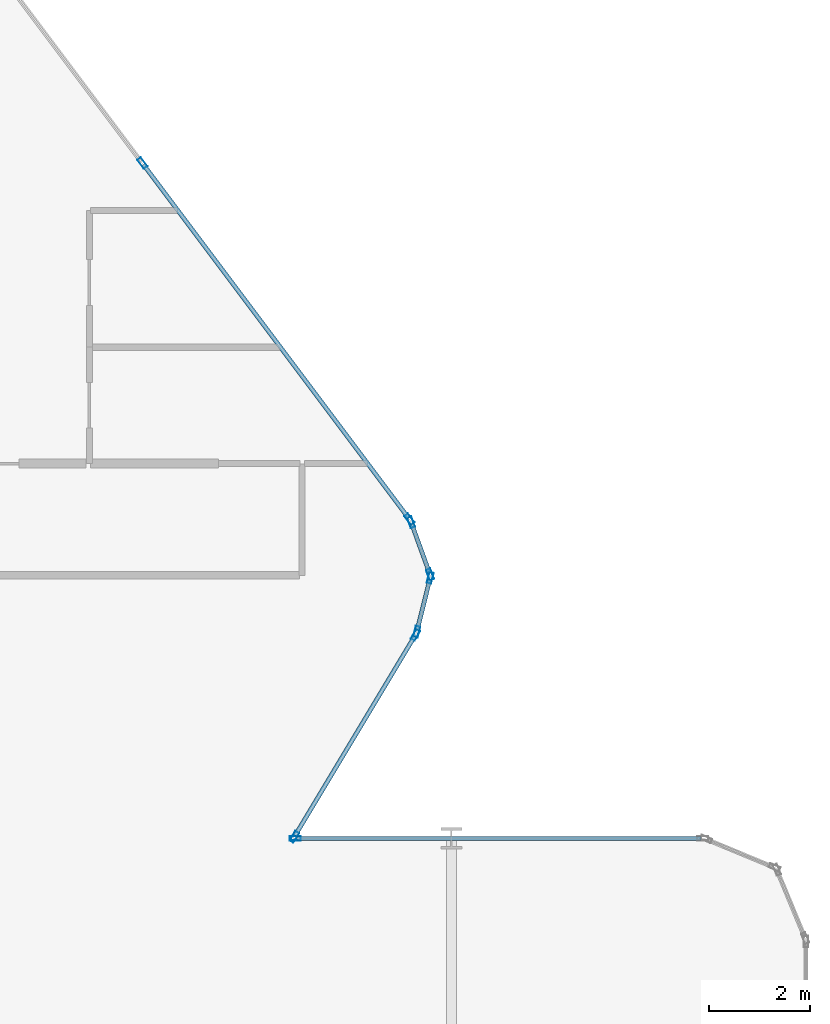
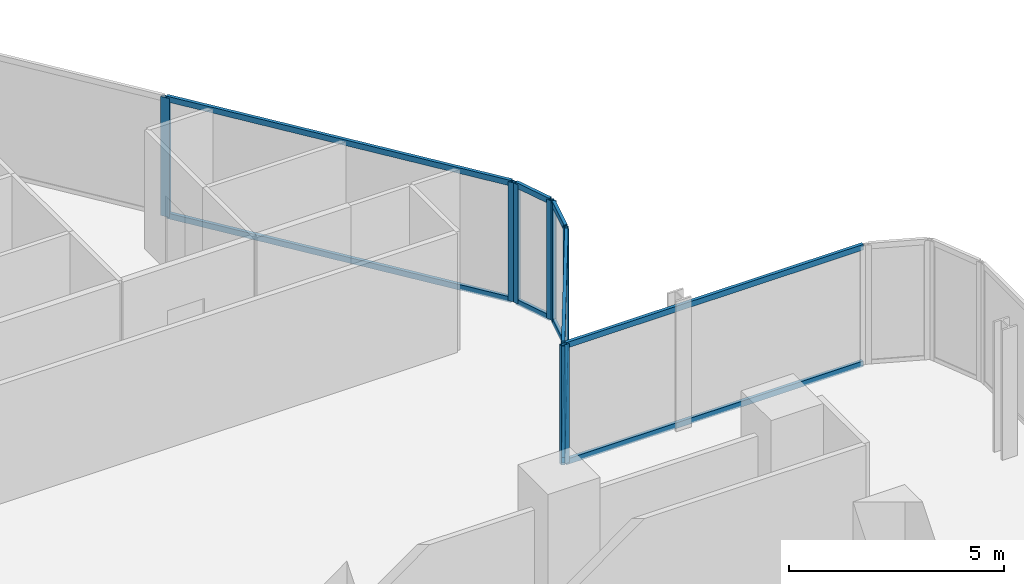
# One storey, part 15 of 33: 19 members, 5 elements without a shape of their own.
"""IFC4 building model written with IfcOpenShell, lengths in metres."""

from ifc_helpers import new_model, si_unit, direction, frame, origin, origin_2d, place, context, subcontext, project, spatial, hollow_rectangle, extrude, material, layer, layer_set, material_profile, profile_set, type_object, element, aggregate, save


model = new_model("IFC4")

# Units and contexts
model_context = context("Model", 3, precision=1e-05, world=origin(), true_north=direction((0.0, 1.0)))
body_context = subcontext(model_context, "Body", "Model", "MODEL_VIEW")
ifc_project = project(units=[si_unit("LENGTHUNIT", "METRE"), si_unit("AREAUNIT", "SQUARE_METRE"), si_unit("VOLUMEUNIT", "CUBIC_METRE"), si_unit("PLANEANGLEUNIT", "RADIAN"), si_unit("MASSUNIT", "GRAM", prefix="KILO")], contexts=[model_context])

# Site, building, storey
site_placement = place(None, origin())
site = spatial("IfcSite", under=ifc_project, at=site_placement, CompositionType="ELEMENT")
building_placement = place(site_placement, origin())
building = spatial("IfcBuilding", under=site, at=building_placement, Name="Keshet Zoharim Tower", CompositionType="ELEMENT")
storey_placement = place(building_placement, frame((0.0, 0.0, 49.89990234375)))
storey = spatial("IfcBuildingStorey", under=building, at=storey_placement, Name="L11", CompositionType="ELEMENT", Elevation=49.89990234375)

# Curtain wall, members
ifc_material = material(Name="Aluminium 6063-T6", Category="aluminium")
ifc_layer_1 = layer(ifc_material, 0.169921875)
ifc_layer_set_1 = layer_set([ifc_layer_1], Name="Aluminium 6063-T6")
curtain_wall_type_1 = type_object("IfcCurtainWallType", Name="CW-SYS-02", PredefinedType="NOTDEFINED", material=ifc_layer_set_1)
curtain_wall_1_placement = place(storey_placement, origin())
curtain_wall_1 = element("IfcCurtainWall", 1, at=curtain_wall_1_placement, inside=storey, type_object=curtain_wall_type_1, Name="L11 Unitised Curtain Wall 09", PredefinedType="NOTDEFINED")
ifc_material_profile_1 = material_profile(ifc_material, hollow_rectangle(XDim=0.090087890625, YDim=0.219970703125, WallThickness=0.0048828125, at=origin_2d()), Name="MUL-90x220")
ifc_profile_set_1 = profile_set([ifc_material_profile_1], Name="Aluminium 6063-T6")
member_type_1 = type_object("IfcMemberType", Name="CWM-M22", PredefinedType="MULLION", material=ifc_profile_set_1)
member_1_placement = place(storey_placement, frame((56.896484375, 46.0380859375, 0.0), z_axis=(0.0, 0.0, 1.0), x_axis=(0.799999999998, 0.600000000002, 0.0)))
member_1 = element("IfcMember", 2, at=member_1_placement, type_object=member_type_1, Name="CW-02 mullion 2", PredefinedType="MULLION", context=body_context, shape_type="SweptSolid", body=[
    extrude(hollow_rectangle(XDim=0.090087890625, YDim=0.219970703125, WallThickness=0.0048828125, at=origin_2d()), origin(), (0.0, 0.0, 1.0), 3.385009765625),
])
member_2_placement = place(storey_placement, frame((62.172119140625, 39.00390625, 0.0), z_axis=(0.0, 0.0, 1.0), x_axis=(0.799999999998, 0.600000000002, 0.0)))
member_2 = element("IfcMember", 3, at=member_2_placement, type_object=member_type_1, Name="CW-02 mullion 3", PredefinedType="MULLION", context=body_context, shape_type="SweptSolid", body=[
    extrude(hollow_rectangle(XDim=0.090087890625, YDim=0.219970703125, WallThickness=0.0048828125, at=origin_2d()), origin(), (0.0, 0.0, 1.0), 3.385009765625),
])

curtain_wall_2_placement = place(storey_placement, origin())
curtain_wall_2 = element("IfcCurtainWall", 4, at=curtain_wall_2_placement, inside=storey, type_object=curtain_wall_type_1, Name="L11 Unitised Curtain Wall 10", PredefinedType="NOTDEFINED")
member_3_placement = place(storey_placement, frame((62.204833984375, 38.943115234375, 0.0), z_axis=(0.0, 0.0, 1.0), x_axis=(0.940317877544, 0.340297354046, 0.0)))
member_3 = element("IfcMember", 5, at=member_3_placement, type_object=member_type_1, Name="CW-02 mullion 1", PredefinedType="MULLION", context=body_context, shape_type="SweptSolid", body=[
    extrude(hollow_rectangle(XDim=0.090087890625, YDim=0.219970703125, WallThickness=0.0048828125, at=origin_2d()), origin(), (0.0, 0.0, 1.0), 3.385009765625),
])
member_4_placement = place(storey_placement, frame((62.578125, 37.911865234375, 0.0), z_axis=(0.0, 0.0, 1.0), x_axis=(0.940317877544, 0.340297354046, 0.0)))
member_4 = element("IfcMember", 6, at=member_4_placement, type_object=member_type_1, Name="CW-02 mullion 2", PredefinedType="MULLION", context=body_context, shape_type="SweptSolid", body=[
    extrude(hollow_rectangle(XDim=0.090087890625, YDim=0.219970703125, WallThickness=0.0048828125, at=origin_2d()), origin(), (0.0, 0.0, 1.0), 3.385009765625),
])

curtain_wall_3_placement = place(storey_placement, origin())
curtain_wall_3 = element("IfcCurtainWall", 7, at=curtain_wall_3_placement, inside=storey, type_object=curtain_wall_type_1, Name="L11 Unitised Curtain Wall 11", PredefinedType="NOTDEFINED")
member_5_placement = place(storey_placement, frame((62.58154296875, 37.844970703125, 0.0), z_axis=(0.0, 0.0, 1.0), x_axis=(0.970343857447, -0.241728770141, 0.0)))
member_5 = element("IfcMember", 8, at=member_5_placement, type_object=member_type_1, Name="CW-02 mullion 1", PredefinedType="MULLION", context=body_context, shape_type="SweptSolid", body=[
    extrude(hollow_rectangle(XDim=0.090087890625, YDim=0.219970703125, WallThickness=0.0048828125, at=origin_2d()), origin(), (0.0, 0.0, 1.0), 3.385009765625),
])
member_6_placement = place(storey_placement, frame((62.31640625, 36.781005859375, 0.0), z_axis=(0.0, 0.0, 1.0), x_axis=(0.970343857447, -0.241728770141, 0.0)))
member_6 = element("IfcMember", 9, at=member_6_placement, type_object=member_type_1, Name="CW-02 mullion 2", PredefinedType="MULLION", context=body_context, shape_type="SweptSolid", body=[
    extrude(hollow_rectangle(XDim=0.090087890625, YDim=0.219970703125, WallThickness=0.0048828125, at=origin_2d()), origin(), (0.0, 0.0, 1.0), 3.385009765625),
])

ifc_layer_2 = layer(ifc_material, 0.179931640625)
ifc_layer_set_2 = layer_set([ifc_layer_2], Name="Aluminium 6063-T6")
curtain_wall_type_2 = type_object("IfcCurtainWallType", Name="CW-SYS-01", PredefinedType="NOTDEFINED", material=ifc_layer_set_2)
curtain_wall_4_placement = place(storey_placement, origin())
curtain_wall_4 = element("IfcCurtainWall", 10, at=curtain_wall_4_placement, inside=storey, type_object=curtain_wall_type_2, Name="L11 Unitised Curtain Wall 12", PredefinedType="NOTDEFINED")
member_7_placement = place(storey_placement, frame((62.2900390625, 36.717041015625, 0.0), z_axis=(0.0, 0.0, 1.0), x_axis=(0.857511621163, -0.51446459506, 0.0)))
member_7 = element("IfcMember", 11, at=member_7_placement, type_object=member_type_1, Name="CW-01 mullion 1", PredefinedType="MULLION", context=body_context, shape_type="SweptSolid", body=[
    extrude(hollow_rectangle(XDim=0.090087890625, YDim=0.219970703125, WallThickness=0.0048828125, at=origin_2d()), origin(), (0.0, 0.0, 1.0), 3.385009765625),
])
member_8_placement = place(storey_placement, frame((59.89794921875, 32.72998046875, 0.0), z_axis=(0.0, 0.0, 1.0), x_axis=(0.857511621163, -0.51446459506, 0.0)))
member_8 = element("IfcMember", 12, at=member_8_placement, type_object=member_type_1, Name="CW-01 mullion 2", PredefinedType="MULLION", context=body_context, shape_type="SweptSolid", body=[
    extrude(hollow_rectangle(XDim=0.090087890625, YDim=0.219970703125, WallThickness=0.0048828125, at=origin_2d()), origin(), (0.0, 0.0, 1.0), 3.385009765625),
])

# Curtain wall, member
curtain_wall_5_placement = place(storey_placement, origin())
curtain_wall_5 = element("IfcCurtainWall", 13, at=curtain_wall_5_placement, inside=storey, type_object=curtain_wall_type_1, Name="L11 Unitised Curtain Wall 13", PredefinedType="NOTDEFINED")
member_9_placement = place(storey_placement, frame((59.9150390625, 32.699951171875, 0.0), z_axis=(0.0, 0.0, 1.0), x_axis=(0.0, 1.0, 0.0)))
member_9 = element("IfcMember", 14, at=member_9_placement, type_object=member_type_1, Name="CW-02 mullion 1", PredefinedType="MULLION", context=body_context, shape_type="SweptSolid", body=[
    extrude(hollow_rectangle(XDim=0.090087890625, YDim=0.219970703125, WallThickness=0.0048828125, at=origin_2d()), origin(), (0.0, 0.0, 1.0), 3.385009765625),
])

# Member
ifc_material_profile_2 = material_profile(ifc_material, hollow_rectangle(XDim=0.0849609375, YDim=0.159912109375, WallThickness=0.00439453125, at=origin_2d()), Name="TRN-85x160")
ifc_profile_set_2 = profile_set([ifc_material_profile_2], Name="Aluminium 6063-T6")
member_type_2 = type_object("IfcMemberType", Name="CWT-T16", PredefinedType="USERDEFINED", material=ifc_profile_set_2)
member_10_placement = place(storey_placement, frame((56.91748046875, 46.010009765625, 0.03515625), z_axis=(0.599991043201, -0.800006717521, 0.0), x_axis=(0.800006717521, 0.599991043201, 0.0)))
member_10 = element("IfcMember", 15, at=member_10_placement, type_object=member_type_2, Name="CW-02 transom 2.1", ObjectType="TRANSOM", PredefinedType="USERDEFINED", context=body_context, shape_type="SweptSolid", body=[
    extrude(hollow_rectangle(XDim=0.0849609375, YDim=0.159912109375, WallThickness=0.00439453125, at=origin_2d()), origin(), (0.0, 0.0, 1.0), 8.722412109375),
])

member_11_placement = place(storey_placement, frame((56.91748046875, 46.010009765625, 3.35009765625), z_axis=(0.599991043201, -0.800006717521, 0.0), x_axis=(0.800006717521, 0.599991043201, 0.0)))
member_11 = element("IfcMember", 16, at=member_11_placement, type_object=member_type_2, Name="CW-02 transom 2.2", ObjectType="TRANSOM", PredefinedType="USERDEFINED", context=body_context, shape_type="SweptSolid", body=[
    extrude(hollow_rectangle(XDim=0.0849609375, YDim=0.159912109375, WallThickness=0.00439453125, at=origin_2d()), origin(), (0.0, 0.0, 1.0), 8.722412109375),
])

aggregate(curtain_wall_1, [member_1, member_2, member_10, member_11])

member_12_placement = place(storey_placement, frame((62.216796875, 38.91015625, 0.03515625), z_axis=(0.340310579984, -0.940313091024, 0.0), x_axis=(0.940313091024, 0.340310579984, 0.0)))
member_12 = element("IfcMember", 17, at=member_12_placement, type_object=member_type_2, Name="CW-02 transom 1.1", ObjectType="TRANSOM", PredefinedType="USERDEFINED", context=body_context, shape_type="SweptSolid", body=[
    extrude(hollow_rectangle(XDim=0.0849609375, YDim=0.159912109375, WallThickness=0.00439453125, at=origin_2d()), origin(), (0.0, 0.0, 1.0), 1.026611328125),
])

member_13_placement = place(storey_placement, frame((62.216796875, 38.91015625, 3.35009765625), z_axis=(0.340310579984, -0.940313091024, 0.0), x_axis=(0.940313091024, 0.340310579984, 0.0)))
member_13 = element("IfcMember", 18, at=member_13_placement, type_object=member_type_2, Name="CW-02 transom 1.2", ObjectType="TRANSOM", PredefinedType="USERDEFINED", context=body_context, shape_type="SweptSolid", body=[
    extrude(hollow_rectangle(XDim=0.0849609375, YDim=0.159912109375, WallThickness=0.00439453125, at=origin_2d()), origin(), (0.0, 0.0, 1.0), 1.026611328125),
])

aggregate(curtain_wall_2, [member_3, member_4, member_12, member_13])

member_14_placement = place(storey_placement, frame((62.572998046875, 37.81103515625, 0.03515625), z_axis=(-0.241640143717, -0.970365931463, 0.0), x_axis=(0.970365931463, -0.241640143717, 0.0)))
member_14 = element("IfcMember", 19, at=member_14_placement, type_object=member_type_2, Name="CW-02 transom 1.1", ObjectType="TRANSOM", PredefinedType="USERDEFINED", context=body_context, shape_type="SweptSolid", body=[
    extrude(hollow_rectangle(XDim=0.0849609375, YDim=0.159912109375, WallThickness=0.00439453125, at=origin_2d()), origin(), (0.0, 0.0, 1.0), 1.026611328125),
])

member_15_placement = place(storey_placement, frame((62.572998046875, 37.81103515625, 3.35009765625), z_axis=(-0.241640143717, -0.970365931463, 0.0), x_axis=(0.970365931463, -0.241640143717, 0.0)))
member_15 = element("IfcMember", 20, at=member_15_placement, type_object=member_type_2, Name="CW-02 transom 1.2", ObjectType="TRANSOM", PredefinedType="USERDEFINED", context=body_context, shape_type="SweptSolid", body=[
    extrude(hollow_rectangle(XDim=0.0849609375, YDim=0.159912109375, WallThickness=0.00439453125, at=origin_2d()), origin(), (0.0, 0.0, 1.0), 1.026611328125),
])

aggregate(curtain_wall_3, [member_5, member_6, member_14, member_15])

member_16_placement = place(storey_placement, frame((62.27197265625, 36.68701171875, 0.03515625), z_axis=(-0.514456555213, -0.857516444622, 0.0), x_axis=(0.857516444622, -0.514456555213, 0.0)))
member_16 = element("IfcMember", 21, at=member_16_placement, type_object=member_type_2, Name="CW-01 transom 1.1", ObjectType="TRANSOM", PredefinedType="USERDEFINED", context=body_context, shape_type="SweptSolid", body=[
    extrude(hollow_rectangle(XDim=0.0849609375, YDim=0.159912109375, WallThickness=0.00439453125, at=origin_2d()), origin(), (0.0, 0.0, 1.0), 4.57958984375),
])

member_17_placement = place(storey_placement, frame((62.27197265625, 36.68701171875, 3.35009765625), z_axis=(-0.514456555213, -0.857516444622, 0.0), x_axis=(0.857516444622, -0.514456555213, 0.0)))
member_17 = element("IfcMember", 22, at=member_17_placement, type_object=member_type_2, Name="CW-01 transom 1.2", ObjectType="TRANSOM", PredefinedType="USERDEFINED", context=body_context, shape_type="SweptSolid", body=[
    extrude(hollow_rectangle(XDim=0.0849609375, YDim=0.159912109375, WallThickness=0.00439453125, at=origin_2d()), origin(), (0.0, 0.0, 1.0), 4.57958984375),
])

aggregate(curtain_wall_4, [member_7, member_8, member_16, member_17])

member_18_placement = place(storey_placement, frame((59.949951171875, 32.699951171875, 0.03515625), z_axis=(1.0, 0.0, 0.0), x_axis=(0.0, 1.0, 0.0)))
member_18 = element("IfcMember", 23, at=member_18_placement, type_object=member_type_2, Name="CW-02 transom 1.1", ObjectType="TRANSOM", PredefinedType="USERDEFINED", context=body_context, shape_type="SweptSolid", body=[
    extrude(hollow_rectangle(XDim=0.0849609375, YDim=0.159912109375, WallThickness=0.00439453125, at=origin_2d()), origin(), (0.0, 0.0, 1.0), 7.97998046875),
])

member_19_placement = place(storey_placement, frame((59.949951171875, 32.699951171875, 3.35009765625), z_axis=(1.0, 0.0, 0.0), x_axis=(0.0, 1.0, 0.0)))
member_19 = element("IfcMember", 24, at=member_19_placement, type_object=member_type_2, Name="CW-02 transom 1.2", ObjectType="TRANSOM", PredefinedType="USERDEFINED", context=body_context, shape_type="SweptSolid", body=[
    extrude(hollow_rectangle(XDim=0.0849609375, YDim=0.159912109375, WallThickness=0.00439453125, at=origin_2d()), origin(), (0.0, 0.0, 1.0), 7.97998046875),
])

aggregate(curtain_wall_5, [member_9, member_18, member_19])

save(model, "model.ifc")
